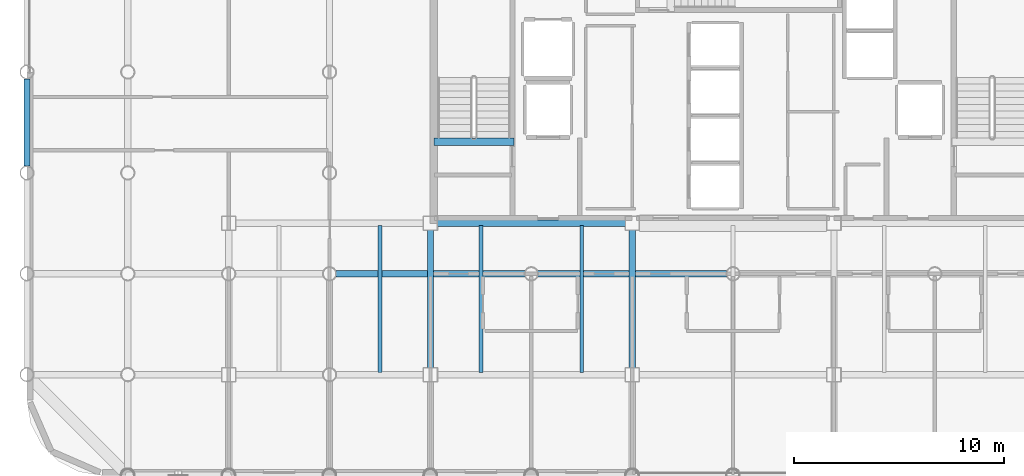
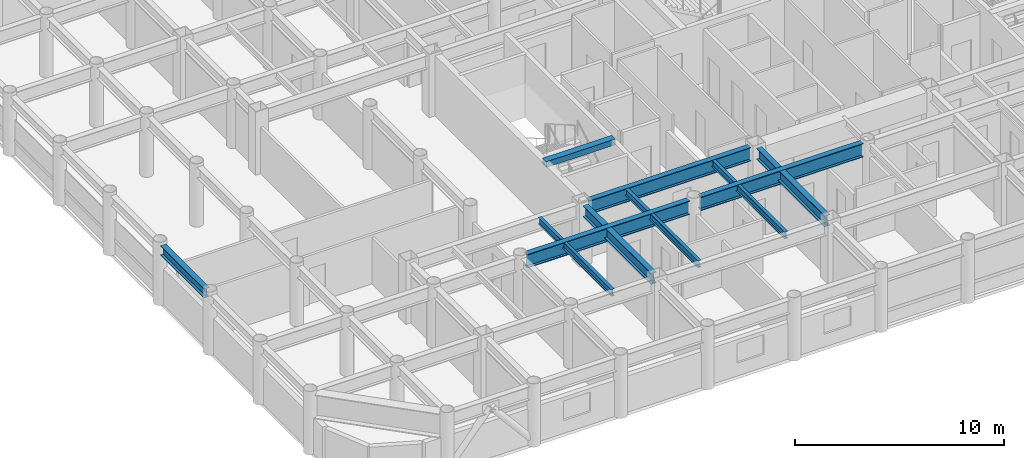
# One storey, part 3 of 20: 10 beams.
"""IFC4 building model written with IfcOpenShell, lengths in metres."""

from ifc_helpers import new_model, si_unit, direction, frame, origin, origin_2d, place, context, subcontext, project, spatial, rectangle, i_section, extrude, material, material_profile, profile_set, type_object, element, save


model = new_model("IFC4")

# Units and contexts
model_context = context("Model", 3, precision=1e-05, world=origin(), true_north=direction((0.0, 1.0)))
body_context = subcontext(model_context, "Body", "Model", "MODEL_VIEW")
ifc_project = project(units=[si_unit("LENGTHUNIT", "METRE"), si_unit("AREAUNIT", "SQUARE_METRE"), si_unit("VOLUMEUNIT", "CUBIC_METRE"), si_unit("PLANEANGLEUNIT", "RADIAN"), si_unit("MASSUNIT", "GRAM", prefix="KILO")], contexts=[model_context])

# Site, building, storey
site_placement = place(None, origin())
site = spatial("IfcSite", under=ifc_project, at=site_placement, CompositionType="ELEMENT")
building_placement = place(site_placement, origin())
building = spatial("IfcBuilding", under=site, at=building_placement, Name="Kallvorn Hotel Tower", CompositionType="ELEMENT")
storey_placement = place(building_placement, frame((0.0, 0.0, 128.5)))
storey = spatial("IfcBuildingStorey", under=building, at=storey_placement, Name="L31", CompositionType="ELEMENT", Elevation=128.5)

# Beams
ifc_material_1 = material(Name="Structural steel S355JR", Category="steel")
ifc_material_profile_1 = material_profile(ifc_material_1, i_section(OverallWidth=0.300048828125, OverallDepth=0.550048828125, WebThickness=0.014892578125, FlangeThickness=0.029052734375, at=origin_2d()), Name="HE 550 B")
ifc_profile_set_1 = profile_set([ifc_material_profile_1], Name="Structural steel S355JR")
beam_type_1 = type_object("IfcBeamType", Name="BM_HE550B", PredefinedType="SPANDREL", material=ifc_profile_set_1)
beam_1_placement = place(storey_placement, frame((-33.60009765625, -4.47998046875, 3.2451171875), z_axis=(0.0, 1.0, 0.0), x_axis=(-1.0, 0.0, 0.0)))
element("IfcBeam", 1, at=beam_1_placement, inside=storey, type_object=beam_type_1, Name="L32 Perimeter Spandrel 176", PredefinedType="SPANDREL", context=body_context, shape_type="SweptSolid", body=[
    extrude(i_section(OverallWidth=0.300048828125, OverallDepth=0.550048828125, WebThickness=0.014892578125, FlangeThickness=0.029052734375, at=origin_2d()), origin(), (0.0, 0.0, 1.0), 4.159912109375),
])
ifc_material_2 = material(Name="Structural steel S355JR", Category="steel")
ifc_material_profile_2 = material_profile(ifc_material_2, i_section(OverallWidth=0.300048828125, OverallDepth=0.64990234375, WebThickness=0.01611328125, FlangeThickness=0.031005859375, at=origin_2d()), Name="HE 650 B")
ifc_profile_set_2 = profile_set([ifc_material_profile_2], Name="Structural steel S355JR")
beam_type_2 = type_object("IfcBeamType", Name="BM_HE650B", PredefinedType="BEAM", material=ifc_profile_set_2)
for number, where, z_axis, x_axis, name in (
    (2, (-14.39990234375, -14.074951171875, 3.195068359375), (0.0, 1.0, 0.0), (-1.0, 0.0, 0.0), "L32 Primary Y-Girder 99"),
    (3, (-4.800048828125, -14.074951171875, 3.195068359375), (0.0, 1.0, 0.0), (-1.0, 0.0, 0.0), "L32 Primary Y-Girder 107"),
):
    element("IfcBeam", number, at=place(storey_placement, frame(where, z_axis=z_axis, x_axis=x_axis)), inside=storey, type_object=beam_type_2, Name=name, PredefinedType="BEAM", context=body_context, shape_type="SweptSolid", body=[
        extrude(i_section(OverallWidth=0.300048828125, OverallDepth=0.64990234375, WebThickness=0.01611328125, FlangeThickness=0.031005859375, at=origin_2d()), origin(), (0.0, 0.0, 1.0), 6.550048828125),
    ])
ifc_material_3 = material(Name="Structural steel S355JR", Category="steel")
ifc_material_profile_3 = material_profile(ifc_material_3, i_section(OverallWidth=0.300048828125, OverallDepth=0.800048828125, WebThickness=0.017578125, FlangeThickness=0.032958984375, at=origin_2d()), Name="HE 800 B")
ifc_profile_set_3 = profile_set([ifc_material_profile_3], Name="Structural steel S355JR")
beam_type_3 = type_object("IfcBeamType", Name="BM_HE800B", PredefinedType="BEAM", material=ifc_profile_set_3)
for number, where, z_axis, x_axis, name in (
    (4, (-18.89501953125, -9.60009765625, 3.1201171875), (1.0, 0.0, 0.0), (0.0, 1.0, 0.0), "L32 Primary X-Girder 26"),
    (5, (-9.294921875, -9.60009765625, 3.1201171875), (1.0, 0.0, 0.0), (0.0, 1.0, 0.0), "L32 Primary X-Girder 27"),
):
    element("IfcBeam", number, at=place(storey_placement, frame(where, z_axis=z_axis, x_axis=x_axis)), inside=storey, type_object=beam_type_3, Name=name, PredefinedType="BEAM", context=body_context, shape_type="SweptSolid", body=[
        extrude(i_section(OverallWidth=0.300048828125, OverallDepth=0.800048828125, WebThickness=0.017578125, FlangeThickness=0.032958984375, at=origin_2d()), origin(), (0.0, 0.0, 1.0), 8.989990234375),
    ])
beam_2_placement = place(storey_placement, frame((-14.074951171875, -7.199951171875, 3.1201171875), z_axis=(1.0, 0.0, 0.0), x_axis=(0.0, 1.0, 0.0)))
element("IfcBeam", 6, at=beam_2_placement, inside=storey, type_object=beam_type_3, Name="L32 Primary X-Girder 33", PredefinedType="BEAM", context=body_context, shape_type="SweptSolid", body=[
    extrude(i_section(OverallWidth=0.300048828125, OverallDepth=0.800048828125, WebThickness=0.017578125, FlangeThickness=0.032958984375, at=origin_2d()), origin(), (0.0, 0.0, 1.0), 8.949951171875),
])
ifc_material_4 = material(Name="Structural steel S355JR", Category="steel")
ifc_material_profile_4 = material_profile(ifc_material_4, i_section(OverallWidth=0.179931640625, OverallDepth=0.39990234375, WebThickness=0.008544921875, FlangeThickness=0.013427734375, at=origin_2d()), Name="IPE 400")
ifc_profile_set_4 = profile_set([ifc_material_profile_4], Name="Structural steel S355JR")
beam_type_4 = type_object("IfcBeamType", Name="BM_IPE400", PredefinedType="JOIST", material=ifc_profile_set_4)
for number, where, z_axis, x_axis, name in (
    (7, (-16.800048828125, -14.300048828125, 3.320068359375), (0.0, 1.0, 0.0), (-1.0, 0.0, 0.0), "L32 Secondary Composite Joist 194"),
    (8, (-12.0, -14.300048828125, 3.320068359375), (0.0, 1.0, 0.0), (-1.0, 0.0, 0.0), "L32 Secondary Composite Joist 196"),
    (9, (-7.199951171875, -14.300048828125, 3.320068359375), (0.0, 1.0, 0.0), (-1.0, 0.0, 0.0), "L32 Secondary Composite Joist 198"),
):
    element("IfcBeam", number, at=place(storey_placement, frame(where, z_axis=z_axis, x_axis=x_axis)), inside=storey, type_object=beam_type_4, Name=name, PredefinedType="JOIST", context=body_context, shape_type="SweptSolid", body=[
        extrude(i_section(OverallWidth=0.179931640625, OverallDepth=0.39990234375, WebThickness=0.008544921875, FlangeThickness=0.013427734375, at=origin_2d()), origin(), (0.0, 0.0, 1.0), 7.0),
    ])
ifc_material_5 = material(Name="Concrete C50/60", Category="concrete")
ifc_material_profile_5 = material_profile(ifc_material_5, rectangle(XDim=0.360107421875, YDim=0.340087890625, at=origin_2d()), Name="RC 360x340")
ifc_profile_set_5 = profile_set([ifc_material_profile_5], Name="Concrete C50/60")
beam_type_5 = type_object("IfcBeamType", Name="BM_RC_400x360", PredefinedType="BEAM", material=ifc_profile_set_5)
beam_3_placement = place(storey_placement, frame((-10.419921875, -3.31005859375, 3.35009765625), z_axis=(-1.0, 0.0, 0.0), x_axis=(0.0, -1.0, 0.0)))
element("IfcBeam", 10, at=beam_3_placement, inside=storey, type_object=beam_type_5, Name="L32 Stair ST1 Arrival Trimmer Beam", PredefinedType="BEAM", context=body_context, shape_type="SweptSolid", body=[
    extrude(rectangle(XDim=0.360107421875, YDim=0.340087890625, at=origin_2d()), origin(), (0.0, 0.0, 1.0), 3.820068359375),
])

save(model, "model.ifc")
